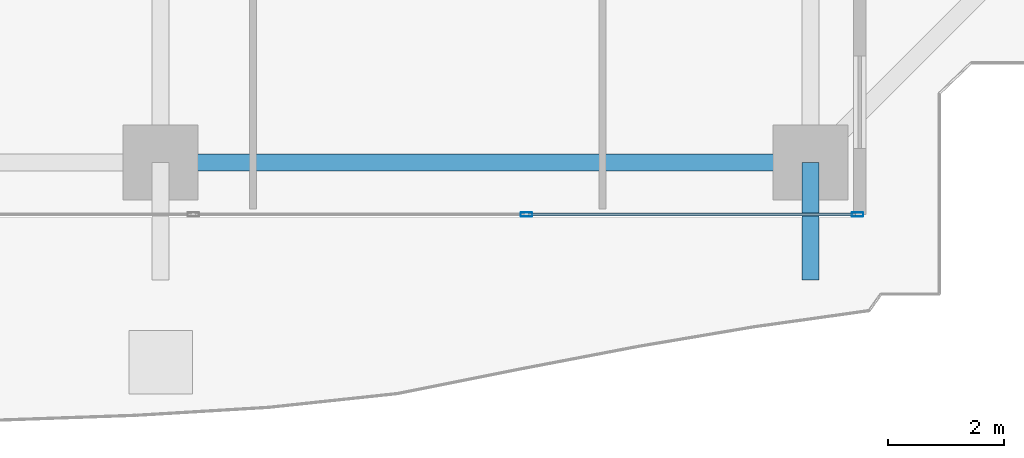
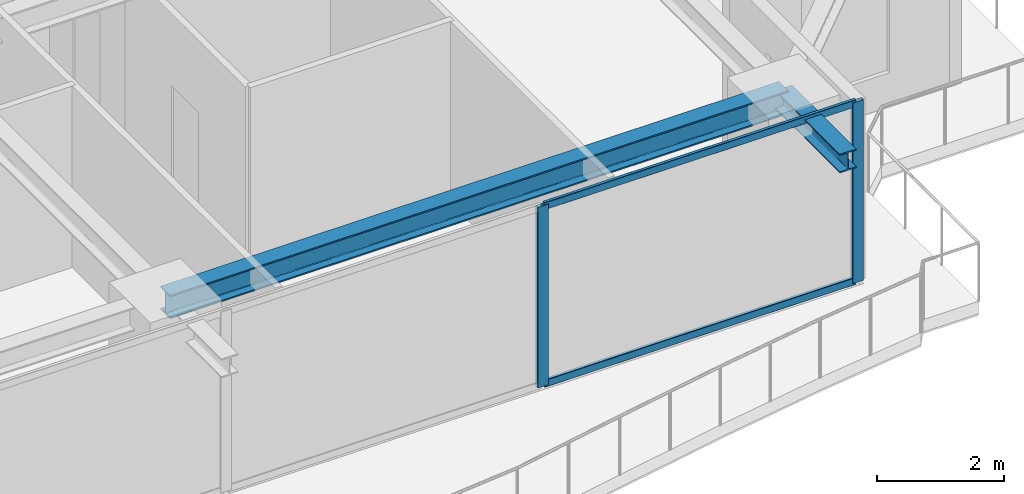
# One storey, part 10 of 36: 4 members, 2 beams, 1 element without a shape of its own.
"""IFC4 building model written with IfcOpenShell, lengths in metres."""

from ifc_helpers import new_model, si_unit, direction, frame, origin, origin_2d, place, context, subcontext, project, spatial, hollow_rectangle, i_section, extrude, source, transform, mapped, material, layer, layer_set, material_profile, profile_set, type_object, element, aggregate, save


model = new_model("IFC4")

# Units and contexts
model_context = context("Model", 3, precision=1e-05, world=origin(), true_north=direction((0.0, 1.0)))
body_context = subcontext(model_context, "Body", "Model", "MODEL_VIEW")
ifc_project = project(units=[si_unit("LENGTHUNIT", "METRE"), si_unit("AREAUNIT", "SQUARE_METRE"), si_unit("VOLUMEUNIT", "CUBIC_METRE"), si_unit("PLANEANGLEUNIT", "RADIAN"), si_unit("MASSUNIT", "GRAM", prefix="KILO")], contexts=[model_context])

# Site, building, storey
site_placement = place(None, origin())
site = spatial("IfcSite", under=ifc_project, at=site_placement, CompositionType="ELEMENT")
building_placement = place(site_placement, origin())
building = spatial("IfcBuilding", under=site, at=building_placement, Name="Serunith Strait Residences", CompositionType="ELEMENT")
storey_placement = place(building_placement, frame((0.0, 0.0, 146.39990234375)))
storey = spatial("IfcBuildingStorey", under=building, at=storey_placement, Name="L36", CompositionType="ELEMENT", Elevation=146.39990234375)

# Beams
ifc_material_1 = material(Name="Steel S355J2", Category="steel")
ifc_material_profile_1 = material_profile(ifc_material_1, i_section(OverallWidth=0.300048828125, OverallDepth=0.449951171875, WebThickness=0.013916015625, FlangeThickness=0.02587890625, FilletRadius=0.027099609375, at=origin_2d()), Name="HEB 450")
ifc_profile_set_1 = profile_set([ifc_material_profile_1], Name="Steel S355J2")
beam_type_1 = type_object("IfcBeamType", Name="BM-HEB450", PredefinedType="BEAM", material=ifc_profile_set_1)
shared_shape_1 = source(origin(), body_context, "Body", "SweptSolid", [
    extrude(i_section(OverallWidth=0.300048828125, OverallDepth=0.449951171875, WebThickness=0.013916015625, FlangeThickness=0.02587890625, FilletRadius=0.027099609375, at=origin_2d()), origin(), (0.0, 0.0, 1.0), 11.25),
])
beam_1_placement = place(storey_placement, frame((36.89990234375, 2.300048828125, 3.26220703125), z_axis=(1.0, 0.0, 0.0), x_axis=(0.0, 1.0, 0.0)))
element("IfcBeam", 1, at=beam_1_placement, inside=storey, type_object=beam_type_1, Name="L36 Perimeter Ring Beam 03", PredefinedType="BEAM", context=body_context, shape_type="MappedRepresentation", body=[
    mapped(shared_shape_1, transform((0.0, 0.0, 0.0), scale=1.0)),
])
ifc_material_profile_2 = material_profile(ifc_material_1, i_section(OverallWidth=0.300048828125, OverallDepth=0.360107421875, WebThickness=0.012451171875, FlangeThickness=0.0224609375, FilletRadius=0.027099609375, at=origin_2d()), Name="HEB 360")
ifc_profile_set_2 = profile_set([ifc_material_profile_2], Name="Steel S355J2")
beam_type_2 = type_object("IfcBeamType", Name="BM-HEB360", PredefinedType="BEAM", material=ifc_profile_set_2)
shared_shape_2 = source(origin(), body_context, "Body", "SweptSolid", [
    extrude(i_section(OverallWidth=0.300048828125, OverallDepth=0.360107421875, WebThickness=0.012451171875, FlangeThickness=0.0224609375, FilletRadius=0.027099609375, at=origin_2d()), origin(), (0.0, 0.0, 1.0), 2.030029296875),
])
beam_2_placement = place(storey_placement, frame((48.14990234375, 2.300048828125, 3.277099609375), z_axis=(0.0, -1.0, 0.0), x_axis=(1.0, 0.0, 0.0)))
element("IfcBeam", 2, at=beam_2_placement, inside=storey, type_object=beam_type_2, Name="L37 Cantilevered Balcony Rib TC-S4", PredefinedType="BEAM", context=body_context, shape_type="MappedRepresentation", body=[
    mapped(shared_shape_2, transform((0.0, 0.0, 0.0), scale=1.0)),
])

# Curtain wall, members
ifc_material_2 = material(Name="Pale-Champagne Anodised Aluminium", Category="aluminium")
ifc_layer = layer(ifc_material_2, 0.199951171875, Name="Pale-Champagne Anodised Aluminium")
ifc_layer_set = layer_set([ifc_layer], Name="Pale-Champagne Anodised Aluminium")
curtain_wall_type = type_object("IfcCurtainWallType", Name="CW-SYS2", PredefinedType="NOTDEFINED", material=ifc_layer_set)
curtain_wall_placement = place(storey_placement, origin())
curtain_wall = element("IfcCurtainWall", 3, at=curtain_wall_placement, inside=storey, type_object=curtain_wall_type, Name="L36 S Unitised Fritted Curtain Wall", PredefinedType="NOTDEFINED")
ifc_material_profile_3 = material_profile(ifc_material_2, hollow_rectangle(XDim=0.070068359375, YDim=0.199951171875, WallThickness=0.00390625, InnerFilletRadius=0.006103515625, OuterFilletRadius=0.010009765625, at=origin_2d()), Name="ALU 200x70x4")
ifc_profile_set_3 = profile_set([ifc_material_profile_3], Name="Pale-Champagne Anodised Aluminium")
member_type_1 = type_object("IfcMemberType", Name="CW-SYS2-MULL", PredefinedType="MULLION", material=ifc_profile_set_3)
shared_shape_3 = source(origin(), body_context, "Body", "SweptSolid", [
    extrude(hollow_rectangle(XDim=0.070068359375, YDim=0.199951171875, WallThickness=0.00390625, InnerFilletRadius=0.006103515625, OuterFilletRadius=0.010009765625, at=origin_2d()), origin(), (0.0, 0.0, 1.0), 3.47509765625),
])
member_1_placement = place(storey_placement, frame((43.2333984375, 1.39990234375, 0.0), z_axis=(0.0, 0.0, 1.0), x_axis=(0.0, 1.0, 0.0)))
member_1 = element("IfcMember", 4, at=member_1_placement, type_object=member_type_1, Name="CW-2 mullion 3", PredefinedType="MULLION", context=body_context, shape_type="MappedRepresentation", body=[
    mapped(shared_shape_3, transform((0.0, 0.0, 0.0), scale=1.0)),
])
member_2_placement = place(storey_placement, frame((48.965087890625, 1.39990234375, 0.0), z_axis=(0.0, 0.0, 1.0), x_axis=(0.0, 1.0, 0.0)))
member_2 = element("IfcMember", 5, at=member_2_placement, type_object=member_type_1, Name="CW-2 mullion 4", PredefinedType="MULLION", context=body_context, shape_type="MappedRepresentation", body=[
    mapped(shared_shape_3, transform((0.0, 0.0, 0.0), scale=1.0)),
])
ifc_material_profile_4 = material_profile(ifc_material_2, hollow_rectangle(XDim=0.06005859375, YDim=0.139892578125, WallThickness=0.00341796875, InnerFilletRadius=0.00537109375, OuterFilletRadius=0.0087890625, at=origin_2d()), Name="ALU 140x60x3.5")
ifc_profile_set_4 = profile_set([ifc_material_profile_4], Name="Pale-Champagne Anodised Aluminium")
member_type_2 = type_object("IfcMemberType", Name="CW-SYS2-TRAN", PredefinedType="USERDEFINED", material=ifc_profile_set_4)
shared_shape_4 = source(origin(), body_context, "Body", "SweptSolid", [
    extrude(hollow_rectangle(XDim=0.06005859375, YDim=0.139892578125, WallThickness=0.00341796875, InnerFilletRadius=0.00537109375, OuterFilletRadius=0.0087890625, at=origin_2d()), origin(), (0.0, 0.0, 1.0), 5.66162109375),
])
member_3_placement = place(storey_placement, frame((43.268310546875, 1.39990234375, 0.030029296875), z_axis=(1.0, 0.0, 0.0), x_axis=(0.0, 1.0, 0.0)))
member_3 = element("IfcMember", 6, at=member_3_placement, type_object=member_type_2, Name="CW-2 transom 3.1", ObjectType="TRANSOM", PredefinedType="USERDEFINED", context=body_context, shape_type="MappedRepresentation", body=[
    mapped(shared_shape_4, transform((0.0, 0.0, 0.0), scale=1.0)),
])
member_4_placement = place(storey_placement, frame((43.268310546875, 1.39990234375, 3.445068359375), z_axis=(1.0, 0.0, 0.0), x_axis=(0.0, 1.0, 0.0)))
member_4 = element("IfcMember", 7, at=member_4_placement, type_object=member_type_2, Name="CW-2 transom 3.2", ObjectType="TRANSOM", PredefinedType="USERDEFINED", context=body_context, shape_type="MappedRepresentation", body=[
    mapped(shared_shape_4, transform((0.0, 0.0, 0.0), scale=1.0)),
])
aggregate(curtain_wall, [member_1, member_2, member_3, member_4])

save(model, "model.ifc")
